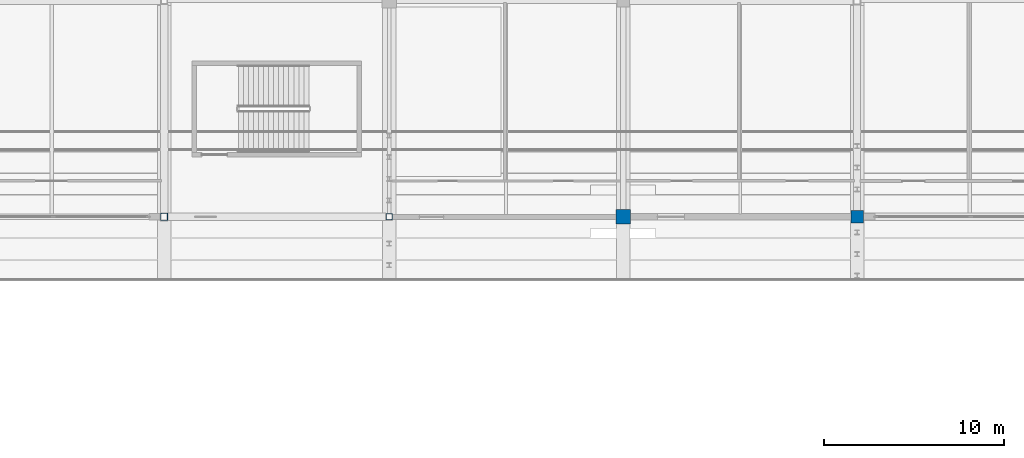
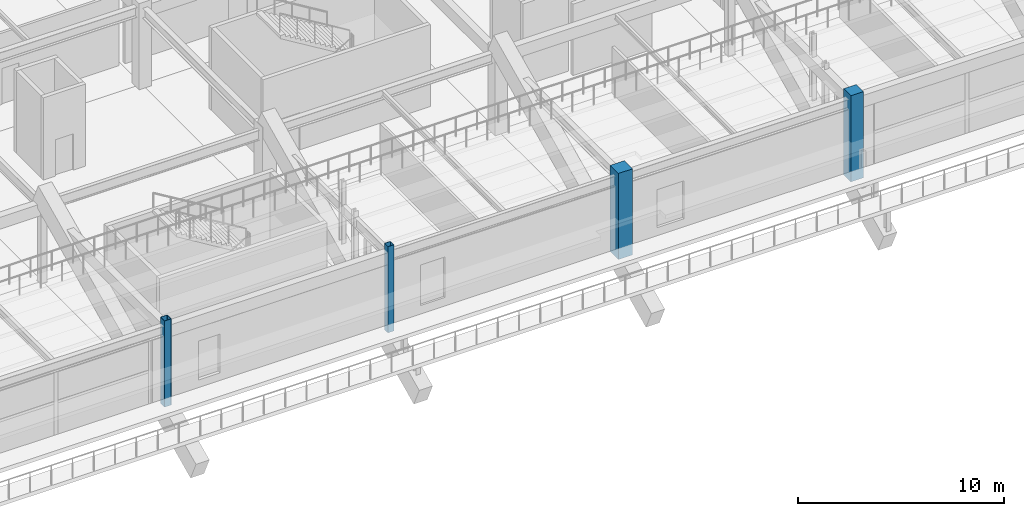
# One storey, part 10 of 128: 4 columns.
"""IFC4 building model written with IfcOpenShell, lengths in metres."""

from ifc_helpers import new_model, si_unit, direction, frame, origin, origin_2d, place, context, subcontext, project, spatial, rectangle, hollow_rectangle, extrude, material, material_profile, profile_set, type_object, element, save


model = new_model("IFC4")

# Units and contexts
model_context = context("Model", 3, precision=1e-05, world=origin(), true_north=direction((0.0, 1.0)))
body_context = subcontext(model_context, "Body", "Model", "MODEL_VIEW")
ifc_project = project(units=[si_unit("LENGTHUNIT", "METRE"), si_unit("AREAUNIT", "SQUARE_METRE"), si_unit("VOLUMEUNIT", "CUBIC_METRE"), si_unit("PLANEANGLEUNIT", "RADIAN"), si_unit("MASSUNIT", "GRAM", prefix="KILO")], contexts=[model_context])

# Site, building, storey
site_placement = place(None, origin())
site = spatial("IfcSite", under=ifc_project, at=site_placement, CompositionType="ELEMENT")
building_placement = place(site_placement, origin())
building = spatial("IfcBuilding", under=site, at=building_placement, Name="Kazenohara Klinker Stadium", CompositionType="ELEMENT")
storey_placement = place(building_placement, frame((0.0, 0.0, 15.300048828125)))
storey = spatial("IfcBuildingStorey", under=building, at=storey_placement, Name="L03", CompositionType="ELEMENT", Elevation=15.300048828125)

# Columns
ifc_material_1 = material(Name="Concrete C40/50", Category="concrete")
ifc_material_profile_1 = material_profile(ifc_material_1, rectangle(XDim=0.800048828125, YDim=0.800048828125, at=origin_2d()), Name="RC-COL-800x800")
ifc_profile_set_1 = profile_set([ifc_material_profile_1], Name="Concrete C40/50")
column_type_1 = type_object("IfcColumnType", Name="COL-RC05", PredefinedType="COLUMN", material=ifc_profile_set_1)
column_1_placement = place(storey_placement, frame((112.0, 132.0, 0.0), z_axis=(0.0, 0.0, 1.0), x_axis=(1.0, 0.0, 0.0)))
element("IfcColumn", 1, at=column_1_placement, inside=storey, type_object=column_type_1, Name="Column C05 L03 10/M", PredefinedType="COLUMN", context=body_context, shape_type="SweptSolid", body=[
    extrude(rectangle(XDim=0.800048828125, YDim=0.800048828125, at=origin_2d()), origin(), (0.0, 0.0, 1.0), 5.099853515625),
])
ifc_material_profile_2 = material_profile(ifc_material_1, rectangle(XDim=0.699951171875, YDim=0.699951171875, at=origin_2d()), Name="RC-COL-700x700")
ifc_profile_set_2 = profile_set([ifc_material_profile_2], Name="Concrete C40/50")
column_type_2 = type_object("IfcColumnType", Name="COL-RC06", PredefinedType="COLUMN", material=ifc_profile_set_2)
column_2_placement = place(storey_placement, frame((125.0, 132.0, 0.0), z_axis=(0.0, 0.0, 1.0), x_axis=(1.0, 0.0, 0.0)))
element("IfcColumn", 2, at=column_2_placement, inside=storey, type_object=column_type_2, Name="Column C06 L03 11/M", PredefinedType="COLUMN", context=body_context, shape_type="SweptSolid", body=[
    extrude(rectangle(XDim=0.699951171875, YDim=0.699951171875, at=origin_2d()), origin(), (0.0, 0.0, 1.0), 5.099853515625),
])
ifc_material_2 = material(Name="Steel S355", Category="steel")
ifc_material_profile_3 = material_profile(ifc_material_2, hollow_rectangle(XDim=0.39990234375, YDim=0.39990234375, WallThickness=0.01611328125, InnerFilletRadius=0.01611328125, OuterFilletRadius=0.031982421875, at=origin_2d()), Name="SHS-400x400x16")
ifc_profile_set_3 = profile_set([ifc_material_profile_3], Name="Steel S355")
column_type_3 = type_object("IfcColumnType", Name="COL-ST01", PredefinedType="COLUMN", material=ifc_profile_set_3)
column_3_placement = place(storey_placement, frame((86.5, 132.0, 0.0), z_axis=(0.0, 0.0, 1.0), x_axis=(1.0, 0.0, 0.0)))
element("IfcColumn", 3, at=column_3_placement, inside=storey, type_object=column_type_3, Name="Column SC01 L03 8/M", PredefinedType="COLUMN", context=body_context, shape_type="SweptSolid", body=[
    extrude(hollow_rectangle(XDim=0.39990234375, YDim=0.39990234375, WallThickness=0.01611328125, InnerFilletRadius=0.01611328125, OuterFilletRadius=0.031982421875, at=origin_2d()), origin(), (0.0, 0.0, 1.0), 5.099853515625),
])
ifc_material_profile_4 = material_profile(ifc_material_2, hollow_rectangle(XDim=0.35009765625, YDim=0.35009765625, WallThickness=0.01611328125, InnerFilletRadius=0.01611328125, OuterFilletRadius=0.031982421875, at=origin_2d()), Name="SHS-350x350x16")
ifc_profile_set_4 = profile_set([ifc_material_profile_4], Name="Steel S355")
column_type_4 = type_object("IfcColumnType", Name="COL-ST02", PredefinedType="COLUMN", material=ifc_profile_set_4)
column_4_placement = place(storey_placement, frame((99.0, 132.0, 0.0), z_axis=(0.0, 0.0, 1.0), x_axis=(1.0, 0.0, 0.0)))
element("IfcColumn", 4, at=column_4_placement, inside=storey, type_object=column_type_4, Name="Column SC02 L03 9/M", PredefinedType="COLUMN", context=body_context, shape_type="SweptSolid", body=[
    extrude(hollow_rectangle(XDim=0.35009765625, YDim=0.35009765625, WallThickness=0.01611328125, InnerFilletRadius=0.01611328125, OuterFilletRadius=0.031982421875, at=origin_2d()), origin(), (0.0, 0.0, 1.0), 5.099853515625),
])

save(model, "model.ifc")
